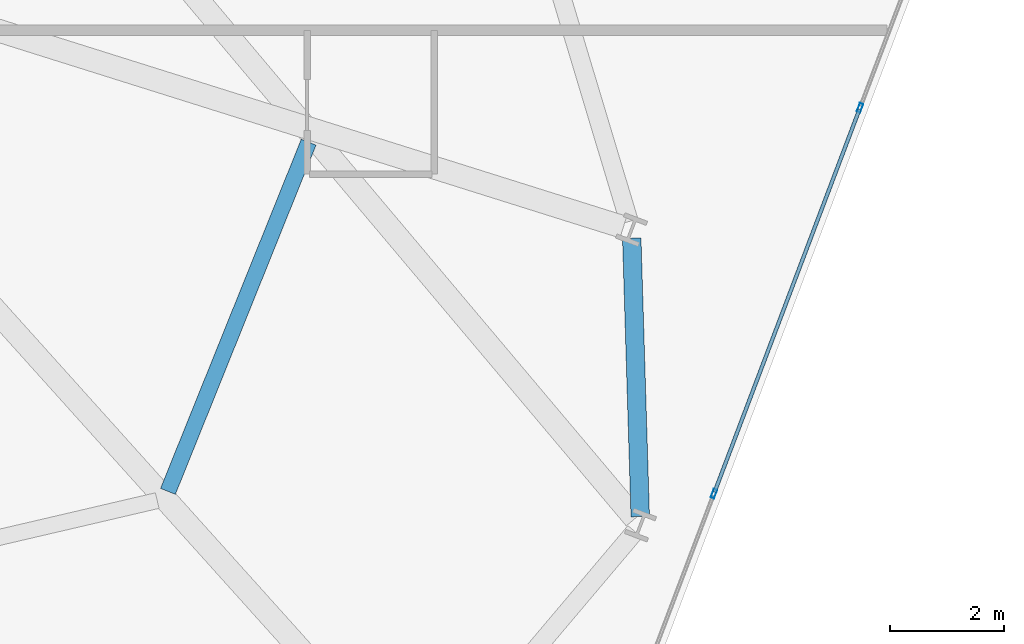
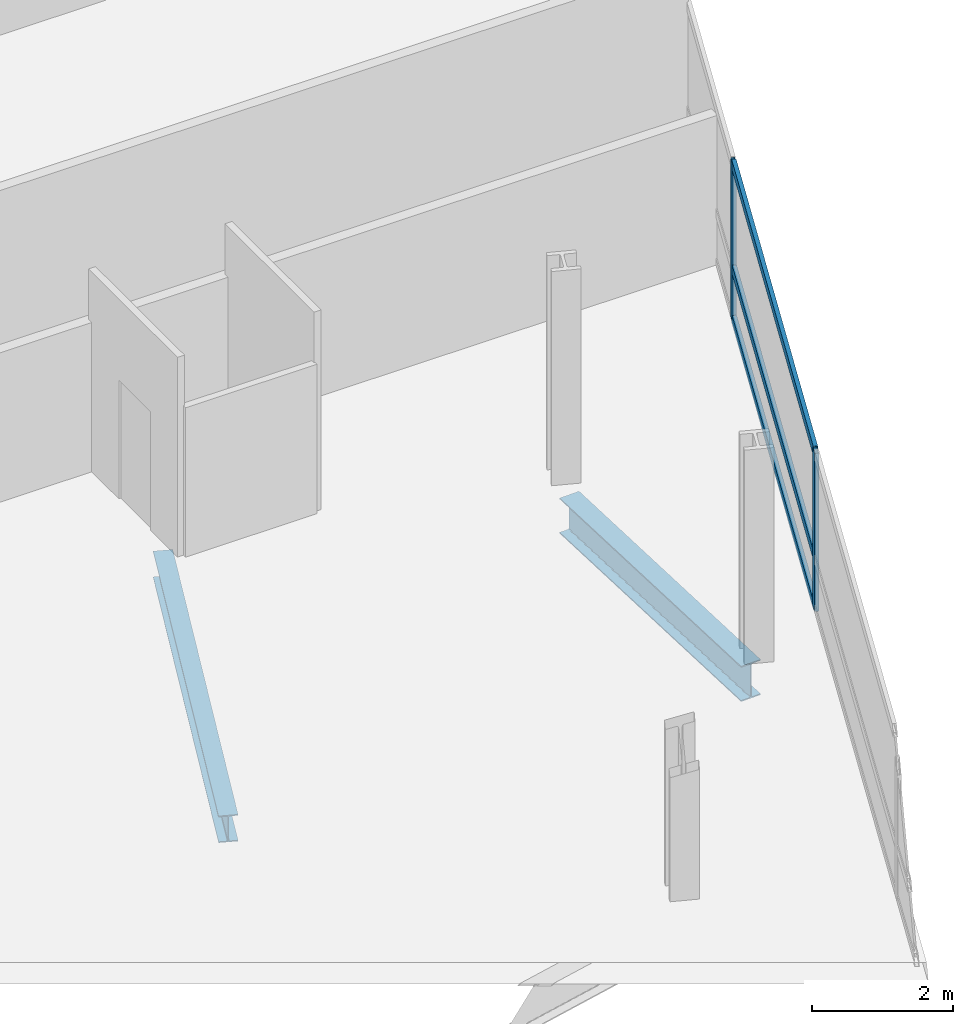
# One storey, part 11 of 24: 5 members, 2 beams, 1 element without a shape of its own.
"""IFC4 building model written with IfcOpenShell, lengths in metres."""

from ifc_helpers import new_model, si_unit, direction, frame, origin, origin_2d, place, context, subcontext, project, spatial, hollow_rectangle, i_section, extrude, material, layer, layer_set, material_profile, profile_set, type_object, element, aggregate, save


model = new_model("IFC4")

# Units and contexts
model_context = context("Model", 3, precision=1e-05, world=origin(), true_north=direction((0.0, 1.0)))
body_context = subcontext(model_context, "Body", "Model", "MODEL_VIEW")
ifc_project = project(units=[si_unit("LENGTHUNIT", "METRE"), si_unit("AREAUNIT", "SQUARE_METRE"), si_unit("VOLUMEUNIT", "CUBIC_METRE"), si_unit("PLANEANGLEUNIT", "RADIAN"), si_unit("MASSUNIT", "GRAM", prefix="KILO")], contexts=[model_context])

# Site, building, storey
site_placement = place(None, origin())
site = spatial("IfcSite", under=ifc_project, at=site_placement, CompositionType="ELEMENT")
building_placement = place(site_placement, origin())
building = spatial("IfcBuilding", under=site, at=building_placement, Name="Varnelok Gate Tower", CompositionType="ELEMENT")
storey_placement = place(building_placement, frame((0.0, 0.0, 98.39990234375)))
storey = spatial("IfcBuildingStorey", under=building, at=storey_placement, Name="L24", CompositionType="ELEMENT", Elevation=98.39990234375)

# Beams
ifc_material_1 = material(Name="Structural Steel ASTM A992 Grade 50", Category="steel")
ifc_material_profile_1 = material_profile(ifc_material_1, i_section(OverallWidth=0.280029296875, OverallDepth=0.462890625, WebThickness=0.0107421875, FlangeThickness=0.017333984375, FilletRadius=0.014892578125, at=origin_2d()), Name="W18X76")
ifc_profile_set_1 = profile_set([ifc_material_profile_1], Name="Structural Steel ASTM A992 Grade 50")
beam_type_1 = type_object("IfcBeamType", Name="BM-JST-W18X76", PredefinedType="JOIST", material=ifc_profile_set_1)
beam_1_placement = place(storey_placement, frame((63.18896484375, 8.764404296875, -0.4814453125), z_axis=(0.373741616313, 0.927532858844, 0.0), x_axis=(-0.927532858844, 0.373741616313, 0.0)))
element("IfcBeam", 1, at=beam_1_placement, inside=storey, type_object=beam_type_1, Name="L24 Sector Floor Joist 6", PredefinedType="JOIST", context=body_context, shape_type="SweptSolid", body=[
    extrude(i_section(OverallWidth=0.280029296875, OverallDepth=0.462890625, WebThickness=0.0107421875, FlangeThickness=0.017333984375, FilletRadius=0.014892578125, at=origin_2d()), origin(), (0.0, 0.0, 1.0), 6.603515625),
])
ifc_material_profile_2 = material_profile(ifc_material_1, i_section(OverallWidth=0.323974609375, OverallDepth=0.611083984375, WebThickness=0.0126953125, FlangeThickness=0.01904296875, FilletRadius=0.01806640625, at=origin_2d()), Name="W24X104")
ifc_profile_set_2 = profile_set([ifc_material_profile_2], Name="Structural Steel ASTM A992 Grade 50")
beam_type_2 = type_object("IfcBeamType", Name="BM-SPN-W24X104", PredefinedType="SPANDREL", material=ifc_profile_set_2)
beam_2_placement = place(storey_placement, frame((71.471923828125, 8.322509765625, -0.555419921875), z_axis=(-0.030393553869, 0.999538009224, 0.0), x_axis=(-0.999538009224, -0.030393553869, 0.0)))
element("IfcBeam", 2, at=beam_2_placement, inside=storey, type_object=beam_type_2, Name="L24 Perimeter Spandrel Beam 7", PredefinedType="SPANDREL", context=body_context, shape_type="SweptSolid", body=[
    extrude(i_section(OverallWidth=0.323974609375, OverallDepth=0.611083984375, WebThickness=0.0126953125, FlangeThickness=0.01904296875, FilletRadius=0.01806640625, at=origin_2d()), origin(), (0.0, 0.0, 1.0), 4.8837890625),
])

# Curtain wall, members
ifc_material_2 = material(Name="Anodized Aluminum Alloy 6063-T6", Category="aluminium")
ifc_layer = layer(ifc_material_2, 0.179931640625)
ifc_layer_set = layer_set([ifc_layer], Name="Anodized Aluminum Alloy 6063-T6")
curtain_wall_type = type_object("IfcCurtainWallType", Name="CW3-HOTEL-VISION", PredefinedType="USERDEFINED", material=ifc_layer_set)
curtain_wall_placement = place(storey_placement, origin())
curtain_wall = element("IfcCurtainWall", 3, at=curtain_wall_placement, inside=storey, type_object=curtain_wall_type, Name="L24 East End Vision Curtain Wall", ObjectType="UNITISED CURTAIN WALL", PredefinedType="USERDEFINED")
ifc_material_profile_3 = material_profile(ifc_material_2, hollow_rectangle(XDim=0.06494140625, YDim=0.159912109375, WallThickness=0.00390625, at=origin_2d()), Name="ALU160X65X4")
ifc_profile_set_3 = profile_set([ifc_material_profile_3], Name="Anodized Aluminum Alloy 6063-T6")
member_type_1 = type_object("IfcMemberType", Name="CW-MULL-160", PredefinedType="MULLION", material=ifc_profile_set_3)
member_1_placement = place(storey_placement, frame((75.328125, 15.4931640625, 0.0), z_axis=(0.0, 0.0, 1.0), x_axis=(0.935221323688, -0.354063660545, 0.0)))
member_1 = element("IfcMember", 4, at=member_1_placement, type_object=member_type_1, Name="CW3 mullion 3", PredefinedType="MULLION", context=body_context, shape_type="SweptSolid", body=[
    extrude(hollow_rectangle(XDim=0.06494140625, YDim=0.159912109375, WallThickness=0.00390625, at=origin_2d()), origin(), (0.0, 0.0, 1.0), 2.72998046875),
])
member_2_placement = place(storey_placement, frame((72.7646484375, 8.72216796875, 0.0), z_axis=(0.0, 0.0, 1.0), x_axis=(0.935221323688, -0.354063660545, 0.0)))
member_2 = element("IfcMember", 5, at=member_2_placement, type_object=member_type_1, Name="CW3 mullion 4", PredefinedType="MULLION", context=body_context, shape_type="SweptSolid", body=[
    extrude(hollow_rectangle(XDim=0.06494140625, YDim=0.159912109375, WallThickness=0.00390625, at=origin_2d()), origin(), (0.0, 0.0, 1.0), 2.72998046875),
])
ifc_material_profile_4 = material_profile(ifc_material_2, hollow_rectangle(XDim=0.06494140625, YDim=0.159912109375, WallThickness=0.00390625, at=origin_2d()), Name="ALU160X65X4")
ifc_profile_set_4 = profile_set([ifc_material_profile_4], Name="Anodized Aluminum Alloy 6063-T6")
member_type_2 = type_object("IfcMemberType", Name="CW-TRAN-160", PredefinedType="USERDEFINED", material=ifc_profile_set_4)
member_3_placement = place(storey_placement, frame((75.316650390625, 15.462646484375, 0.03271484375), z_axis=(-0.354078724634, -0.935215620465, 0.0), x_axis=(0.935215620465, -0.354078724634, 0.0)))
member_3 = element("IfcMember", 6, at=member_3_placement, type_object=member_type_2, Name="CW3 transom 3.1", ObjectType="TRANSOM", PredefinedType="USERDEFINED", context=body_context, shape_type="SweptSolid", body=[
    extrude(hollow_rectangle(XDim=0.06494140625, YDim=0.159912109375, WallThickness=0.00390625, at=origin_2d()), origin(), (0.0, 0.0, 1.0), 7.175048828125),
])
member_4_placement = place(storey_placement, frame((75.316650390625, 15.462646484375, 0.900146484375), z_axis=(-0.354078724634, -0.935215620465, 0.0), x_axis=(0.935215620465, -0.354078724634, 0.0)))
member_4 = element("IfcMember", 7, at=member_4_placement, type_object=member_type_2, Name="CW3 transom 3.2", ObjectType="TRANSOM", PredefinedType="USERDEFINED", context=body_context, shape_type="SweptSolid", body=[
    extrude(hollow_rectangle(XDim=0.06494140625, YDim=0.159912109375, WallThickness=0.00390625, at=origin_2d()), origin(), (0.0, 0.0, 1.0), 7.175048828125),
])
member_5_placement = place(storey_placement, frame((75.316650390625, 15.462646484375, 2.697509765625), z_axis=(-0.354078724634, -0.935215620465, 0.0), x_axis=(0.935215620465, -0.354078724634, 0.0)))
member_5 = element("IfcMember", 8, at=member_5_placement, type_object=member_type_2, Name="CW3 transom 3.3", ObjectType="TRANSOM", PredefinedType="USERDEFINED", context=body_context, shape_type="SweptSolid", body=[
    extrude(hollow_rectangle(XDim=0.06494140625, YDim=0.159912109375, WallThickness=0.00390625, at=origin_2d()), origin(), (0.0, 0.0, 1.0), 7.175048828125),
])
aggregate(curtain_wall, [member_1, member_2, member_3, member_4, member_5])

save(model, "model.ifc")
